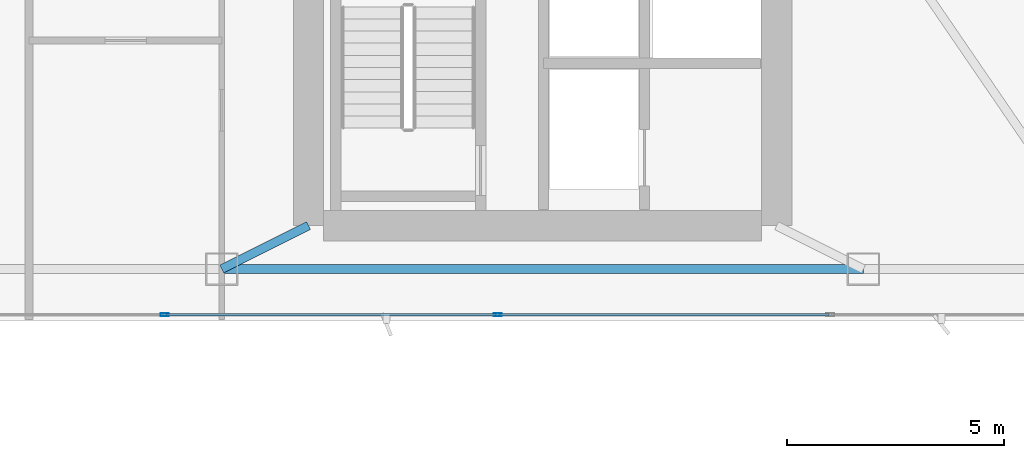
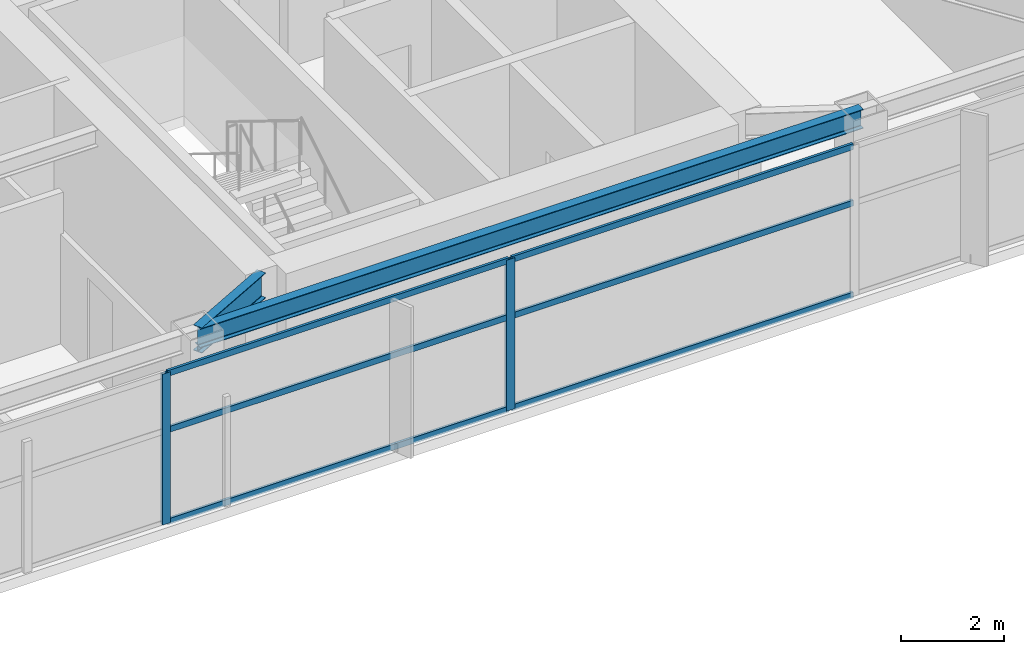
# One storey, part 6 of 30: 8 members, 2 beams, 1 element without a shape of its own.
"""IFC4 building model written with IfcOpenShell, lengths in metres."""

from ifc_helpers import new_model, si_unit, direction, frame, origin, origin_2d, place, context, subcontext, project, spatial, hollow_rectangle, i_section, extrude, material, layer, layer_set, material_profile, profile_set, type_object, element, aggregate, save


model = new_model("IFC4")

# Units and contexts
model_context = context("Model", 3, precision=1e-05, world=origin(), true_north=direction((0.0, 1.0)))
body_context = subcontext(model_context, "Body", "Model", "MODEL_VIEW")
ifc_project = project(units=[si_unit("LENGTHUNIT", "METRE"), si_unit("AREAUNIT", "SQUARE_METRE"), si_unit("VOLUMEUNIT", "CUBIC_METRE"), si_unit("PLANEANGLEUNIT", "RADIAN"), si_unit("MASSUNIT", "GRAM", prefix="KILO")], contexts=[model_context])

# Site, building, storey
site_placement = place(None, origin())
site = spatial("IfcSite", under=ifc_project, at=site_placement, CompositionType="ELEMENT")
building_placement = place(site_placement, origin())
building = spatial("IfcBuilding", under=site, at=building_placement, Name="Calvorn Quay Hotel", CompositionType="ELEMENT")
storey_placement = place(building_placement, frame((0.0, 0.0, 207.199951171875)))
storey = spatial("IfcBuildingStorey", under=building, at=storey_placement, Name="L51", CompositionType="ELEMENT", Elevation=207.199951171875)

# Beams
ifc_material_1 = material(Name="Steel Q355B", Category="steel")
ifc_material_profile_1 = material_profile(ifc_material_1, i_section(OverallWidth=0.199951171875, OverallDepth=0.60009765625, WebThickness=0.010986328125, FlangeThickness=0.01708984375, FilletRadius=0.01806640625, at=origin_2d()), Name="HN600x200x11x17")
ifc_profile_set_1 = profile_set([ifc_material_profile_1], Name="Steel Q355B")
beam_type_1 = type_object("IfcBeamType", Name="BM-GIRD-TYP", PredefinedType="BEAM", material=ifc_profile_set_1)
beam_1_placement = place(storey_placement, frame((19.60009765625, 3.60009765625, 3.239990234375), z_axis=(0.894427191, 0.4472135955, 0.0), x_axis=(-0.4472135955, 0.894427191, 0.0)))
element("IfcBeam", 1, at=beam_1_placement, inside=storey, type_object=beam_type_1, Name="Beam BG-L51-S2", PredefinedType="BEAM", context=body_context, shape_type="SweptSolid", body=[
    extrude(i_section(OverallWidth=0.199951171875, OverallDepth=0.60009765625, WebThickness=0.010986328125, FlangeThickness=0.01708984375, FilletRadius=0.01806640625, at=origin_2d()), origin(), (0.0, 0.0, 1.0), 2.236083984375),
])
ifc_material_2 = material(Name="Steel Q355B", Category="steel")
ifc_material_profile_2 = material_profile(ifc_material_2, i_section(OverallWidth=0.199951171875, OverallDepth=0.449951171875, WebThickness=0.009033203125, FlangeThickness=0.013916015625, FilletRadius=0.01611328125, at=origin_2d()), Name="HN450x200x9x14")
ifc_profile_set_2 = profile_set([ifc_material_profile_2], Name="Steel Q355B")
beam_type_2 = type_object("IfcBeamType", Name="BM-SPANDREL-Z3", PredefinedType="SPANDREL", material=ifc_profile_set_2)
beam_2_placement = place(storey_placement, frame((19.60009765625, 3.60009765625, 3.31494140625), z_axis=(1.0, 0.0, 0.0), x_axis=(0.0, 1.0, 0.0)))
element("IfcBeam", 2, at=beam_2_placement, inside=storey, type_object=beam_type_2, Name="Beam BSP-L51-S3", PredefinedType="SPANDREL", context=body_context, shape_type="SweptSolid", body=[
    extrude(i_section(OverallWidth=0.199951171875, OverallDepth=0.449951171875, WebThickness=0.009033203125, FlangeThickness=0.013916015625, FilletRadius=0.01611328125, at=origin_2d()), origin(), (0.0, 0.0, 1.0), 14.7998046875),
])

# Curtain wall, members
ifc_material_3 = material(Name="Champagne Bronze Anodised Aluminium and Low-E Glass", Category="aluminium")
ifc_layer = layer(ifc_material_3, 0.219970703125)
ifc_layer_set = layer_set([ifc_layer], Name="CW-SYS-Z3")
curtain_wall_type = type_object("IfcCurtainWallType", Name="CW-SYS-Z3", PredefinedType="NOTDEFINED", material=ifc_layer_set)
curtain_wall_placement = place(storey_placement, origin())
curtain_wall = element("IfcCurtainWall", 3, at=curtain_wall_placement, inside=storey, type_object=curtain_wall_type, Name="Tower South Waterfront Curtain Wall (L51)", PredefinedType="NOTDEFINED")
ifc_material_4 = material(Name="Champagne Bronze Anodised Aluminium 6063-T6", Category="aluminium")
ifc_material_profile_3 = material_profile(ifc_material_4, hollow_rectangle(XDim=0.068115234375, YDim=0.18505859375, WallThickness=0.00390625, at=origin_2d()), Name="ALU-M185x68x4")
ifc_profile_set_3 = profile_set([ifc_material_profile_3], Name="Champagne Bronze Anodised Aluminium 6063-T6")
member_type_1 = type_object("IfcMemberType", Name="CW-SYS-Z3-MUL", PredefinedType="MULLION", material=ifc_profile_set_3)
member_1_placement = place(storey_placement, frame((18.280029296875, 2.550048828125, 0.0), z_axis=(0.0, 0.0, 1.0), x_axis=(0.0, 1.0, 0.0)))
member_1 = element("IfcMember", 4, at=member_1_placement, type_object=member_type_1, Name="CW-L51-S mullion 2", PredefinedType="MULLION", context=body_context, shape_type="SweptSolid", body=[
    extrude(hollow_rectangle(XDim=0.068115234375, YDim=0.18505859375, WallThickness=0.00390625, at=origin_2d()), origin(), (0.0, 0.0, 1.0), 3.56005859375),
])
member_2_placement = place(storey_placement, frame((25.9599609375, 2.550048828125, 0.0), z_axis=(0.0, 0.0, 1.0), x_axis=(0.0, 1.0, 0.0)))
member_2 = element("IfcMember", 5, at=member_2_placement, type_object=member_type_1, Name="CW-L51-S mullion 3", PredefinedType="MULLION", context=body_context, shape_type="SweptSolid", body=[
    extrude(hollow_rectangle(XDim=0.068115234375, YDim=0.18505859375, WallThickness=0.00390625, at=origin_2d()), origin(), (0.0, 0.0, 1.0), 3.56005859375),
])
ifc_material_5 = material(Name="Champagne Bronze Anodised Aluminium 6063-T6", Category="aluminium")
ifc_material_profile_4 = material_profile(ifc_material_5, hollow_rectangle(XDim=0.05810546875, YDim=0.139892578125, WallThickness=0.003173828125, at=origin_2d()), Name="ALU-T140x58x3.2")
ifc_profile_set_4 = profile_set([ifc_material_profile_4], Name="Champagne Bronze Anodised Aluminium 6063-T6")
member_type_2 = type_object("IfcMemberType", Name="CW-SYS-Z3-TRN", PredefinedType="USERDEFINED", material=ifc_profile_set_4)
member_3_placement = place(storey_placement, frame((18.31005859375, 2.550048828125, 0.030029296875), z_axis=(1.0, 0.0, 0.0), x_axis=(0.0, 1.0, 0.0)))
member_3 = element("IfcMember", 6, at=member_3_placement, type_object=member_type_2, Name="CW-L51-S transom 2.1", ObjectType="TRANSOM", PredefinedType="USERDEFINED", context=body_context, shape_type="SweptSolid", body=[
    extrude(hollow_rectangle(XDim=0.05810546875, YDim=0.139892578125, WallThickness=0.003173828125, at=origin_2d()), origin(), (0.0, 0.0, 1.0), 7.619873046875),
])
member_4_placement = place(storey_placement, frame((18.31005859375, 2.550048828125, 2.199951171875), z_axis=(1.0, 0.0, 0.0), x_axis=(0.0, 1.0, 0.0)))
member_4 = element("IfcMember", 7, at=member_4_placement, type_object=member_type_2, Name="CW-L51-S transom 2.2", ObjectType="TRANSOM", PredefinedType="USERDEFINED", context=body_context, shape_type="SweptSolid", body=[
    extrude(hollow_rectangle(XDim=0.05810546875, YDim=0.139892578125, WallThickness=0.003173828125, at=origin_2d()), origin(), (0.0, 0.0, 1.0), 7.619873046875),
])
member_5_placement = place(storey_placement, frame((18.31005859375, 2.550048828125, 3.530029296875), z_axis=(1.0, 0.0, 0.0), x_axis=(0.0, 1.0, 0.0)))
member_5 = element("IfcMember", 8, at=member_5_placement, type_object=member_type_2, Name="CW-L51-S transom 2.3", ObjectType="TRANSOM", PredefinedType="USERDEFINED", context=body_context, shape_type="SweptSolid", body=[
    extrude(hollow_rectangle(XDim=0.05810546875, YDim=0.139892578125, WallThickness=0.003173828125, at=origin_2d()), origin(), (0.0, 0.0, 1.0), 7.619873046875),
])
member_6_placement = place(storey_placement, frame((25.989990234375, 2.550048828125, 0.030029296875), z_axis=(1.0, 0.0, 0.0), x_axis=(0.0, 1.0, 0.0)))
member_6 = element("IfcMember", 9, at=member_6_placement, type_object=member_type_2, Name="CW-L51-S transom 3.1", ObjectType="TRANSOM", PredefinedType="USERDEFINED", context=body_context, shape_type="SweptSolid", body=[
    extrude(hollow_rectangle(XDim=0.05810546875, YDim=0.139892578125, WallThickness=0.003173828125, at=origin_2d()), origin(), (0.0, 0.0, 1.0), 7.6201171875),
])
member_7_placement = place(storey_placement, frame((25.989990234375, 2.550048828125, 2.199951171875), z_axis=(1.0, 0.0, 0.0), x_axis=(0.0, 1.0, 0.0)))
member_7 = element("IfcMember", 10, at=member_7_placement, type_object=member_type_2, Name="CW-L51-S transom 3.2", ObjectType="TRANSOM", PredefinedType="USERDEFINED", context=body_context, shape_type="SweptSolid", body=[
    extrude(hollow_rectangle(XDim=0.05810546875, YDim=0.139892578125, WallThickness=0.003173828125, at=origin_2d()), origin(), (0.0, 0.0, 1.0), 7.6201171875),
])
member_8_placement = place(storey_placement, frame((25.989990234375, 2.550048828125, 3.530029296875), z_axis=(1.0, 0.0, 0.0), x_axis=(0.0, 1.0, 0.0)))
member_8 = element("IfcMember", 11, at=member_8_placement, type_object=member_type_2, Name="CW-L51-S transom 3.3", ObjectType="TRANSOM", PredefinedType="USERDEFINED", context=body_context, shape_type="SweptSolid", body=[
    extrude(hollow_rectangle(XDim=0.05810546875, YDim=0.139892578125, WallThickness=0.003173828125, at=origin_2d()), origin(), (0.0, 0.0, 1.0), 7.6201171875),
])
aggregate(curtain_wall, [member_1, member_2, member_3, member_4, member_5, member_6, member_7, member_8])

save(model, "model.ifc")
